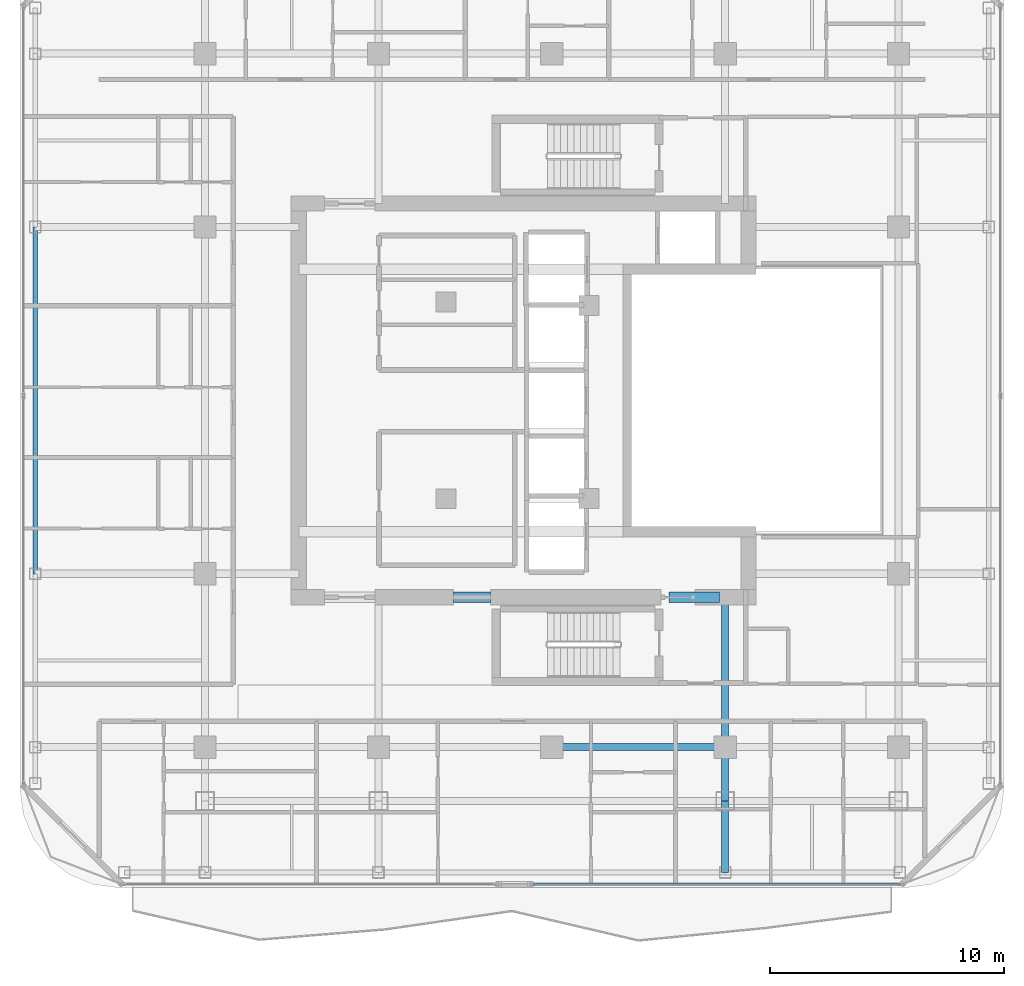
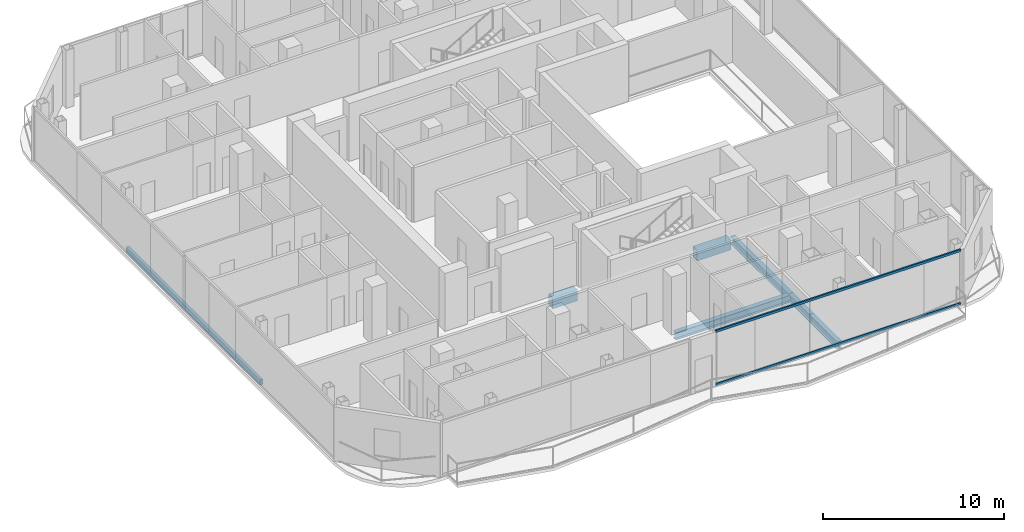
# One storey, part 5 of 23: 7 beams, 2 members, 1 element without a shape of its own.
"""IFC4 building model written with IfcOpenShell, lengths in metres."""

from ifc_helpers import new_model, si_unit, direction, frame, origin, origin_2d, place, context, subcontext, project, spatial, rectangle, hollow_rectangle, i_section, extrude, material, layer, layer_set, material_profile, profile_set, type_object, element, aggregate, save


model = new_model("IFC4")

# Units and contexts
model_context = context("Model", 3, precision=1e-05, world=origin(), true_north=direction((0.0, 1.0)))
body_context = subcontext(model_context, "Body", "Model", "MODEL_VIEW")
ifc_project = project(units=[si_unit("LENGTHUNIT", "METRE"), si_unit("AREAUNIT", "SQUARE_METRE"), si_unit("VOLUMEUNIT", "CUBIC_METRE"), si_unit("PLANEANGLEUNIT", "RADIAN"), si_unit("MASSUNIT", "GRAM", prefix="KILO")], contexts=[model_context])

# Site, building, storey
site_placement = place(None, origin())
site = spatial("IfcSite", under=ifc_project, at=site_placement, CompositionType="ELEMENT")
building_placement = place(site_placement, origin())
building = spatial("IfcBuilding", under=site, at=building_placement, Name="Khorvyn Point Tower", CompositionType="ELEMENT")
storey_placement = place(building_placement, frame((0.0, 0.0, 293.699951171875)))
storey = spatial("IfcBuildingStorey", under=building, at=storey_placement, Name="L72", CompositionType="ELEMENT", Elevation=293.699951171875)

# Curtain wall, members
ifc_material_1 = material(Name="Anodised aluminium 6063-T6 and laminated Low-E glass", Category="aluminium")
ifc_layer = layer(ifc_material_1, 0.18994140625)
ifc_layer_set = layer_set([ifc_layer], Name="Stick-Built High-Wind Curtain Wall CW-SYS-04")
curtain_wall_type = type_object("IfcCurtainWallType", Name="Stick-Built High-Wind Curtain Wall CW-SYS-04", PredefinedType="NOTDEFINED", material=ifc_layer_set)
curtain_wall_placement = place(storey_placement, origin())
curtain_wall = element("IfcCurtainWall", 1, at=curtain_wall_placement, inside=storey, type_object=curtain_wall_type, Name="Curtain Wall", PredefinedType="NOTDEFINED")
ifc_material_2 = material(Name="Anodised aluminium 6063-T6", Category="aluminium")
ifc_material_profile_1 = material_profile(ifc_material_2, hollow_rectangle(XDim=0.10009765625, YDim=0.159912109375, WallThickness=0.00439453125, at=origin_2d()))
ifc_profile_set_1 = profile_set([ifc_material_profile_1], Name="Anodised aluminium 6063-T6 ALU-TRN-100x160")
member_type = type_object("IfcMemberType", Name="Anodised Aluminium 6063-T6 Transom ALU-TRN-100x160", PredefinedType="USERDEFINED", material=ifc_profile_set_1)
member_1_placement = place(storey_placement, frame((14.85009765625, -20.64990234375, 0.050048828125), z_axis=(-1.0, 0.0, 0.0), x_axis=(0.0, -1.0, 0.0)))
member_1 = element("IfcMember", 2, at=member_1_placement, type_object=member_type, Name="Transom", ObjectType="TRANSOM", PredefinedType="USERDEFINED", context=body_context, shape_type="SweptSolid", body=[
    extrude(hollow_rectangle(XDim=0.10009765625, YDim=0.159912109375, WallThickness=0.00439453125, at=origin_2d()), origin(), (0.0, 0.0, 1.0), 15.627197265625),
])
member_2_placement = place(storey_placement, frame((14.85009765625, -20.64990234375, 3.630126953125), z_axis=(-1.0, 0.0, 0.0), x_axis=(0.0, -1.0, 0.0)))
member_2 = element("IfcMember", 3, at=member_2_placement, type_object=member_type, Name="Transom", ObjectType="TRANSOM", PredefinedType="USERDEFINED", context=body_context, shape_type="SweptSolid", body=[
    extrude(hollow_rectangle(XDim=0.10009765625, YDim=0.159912109375, WallThickness=0.00439453125, at=origin_2d()), origin(), (0.0, 0.0, 1.0), 15.627197265625),
])
aggregate(curtain_wall, [member_1, member_2])

# Beams
ifc_material_3 = material(Name="Concrete C40/50", Category="concrete")
ifc_material_profile_2 = material_profile(ifc_material_3, rectangle(XDim=0.449951171875, YDim=0.75, at=origin_2d()))
ifc_profile_set_2 = profile_set([ifc_material_profile_2], Name="Concrete C40/50 RC450x750")
beam_type_1 = type_object("IfcBeamType", Name="Concrete C40/50 Beam RC450x750", PredefinedType="BEAM", material=ifc_profile_set_2)
beam_1_placement = place(storey_placement, frame((-4.199951171875, -8.39990234375, -0.594970703125), z_axis=(1.0, 0.0, 0.0), x_axis=(0.0, 1.0, 0.0)))
element("IfcBeam", 4, at=beam_1_placement, inside=storey, type_object=beam_type_1, Name="L72 Core Shuttle Portal Coupling Beam", PredefinedType="BEAM", context=body_context, shape_type="SweptSolid", body=[
    extrude(rectangle(XDim=0.449951171875, YDim=0.75, at=origin_2d()), origin(), (0.0, 0.0, 1.0), 1.579833984375),
])
beam_2_placement = place(storey_placement, frame((5.0, -8.39990234375, -0.594970703125), z_axis=(1.0, 0.0, 0.0), x_axis=(0.0, 1.0, 0.0)))
element("IfcBeam", 5, at=beam_2_placement, inside=storey, type_object=beam_type_1, Name="L72 Core Southeast Portal Coupling Beam", PredefinedType="BEAM", context=body_context, shape_type="SweptSolid", body=[
    extrude(rectangle(XDim=0.449951171875, YDim=0.75, at=origin_2d()), origin(), (0.0, 0.0, 1.0), 2.14990234375),
])
ifc_material_4 = material(Name="Steel S355", Category="steel")
ifc_material_profile_3 = material_profile(ifc_material_4, i_section(OverallWidth=0.300048828125, OverallDepth=0.488037109375, WebThickness=0.010986328125, FlangeThickness=0.01806640625, at=origin_2d()))
ifc_profile_set_3 = profile_set([ifc_material_profile_3], Name="Steel S355 H488x300x11x18")
beam_type_2 = type_object("IfcBeamType", Name="Steel S355 Spandrel H488x300x11x18", PredefinedType="SPANDREL", material=ifc_profile_set_3)
beam_3_placement = place(storey_placement, frame((0.0, -14.800048828125, -0.4638671875), z_axis=(1.0, 0.0, 0.0), x_axis=(0.0, 1.0, 0.0)))
element("IfcBeam", 6, at=beam_3_placement, inside=storey, type_object=beam_type_2, Name="Beam", PredefinedType="SPANDREL", context=body_context, shape_type="SweptSolid", body=[
    extrude(i_section(OverallWidth=0.300048828125, OverallDepth=0.488037109375, WebThickness=0.010986328125, FlangeThickness=0.01806640625, at=origin_2d()), origin(), (0.0, 0.0, 1.0), 7.39990234375),
])
beam_4_placement = place(storey_placement, frame((7.39990234375, -20.14990234375, -0.4638671875), z_axis=(0.0, 1.0, 0.0), x_axis=(-1.0, 0.0, 0.0)))
element("IfcBeam", 7, at=beam_4_placement, inside=storey, type_object=beam_type_2, Name="Beam", PredefinedType="SPANDREL", context=body_context, shape_type="SweptSolid", body=[
    extrude(i_section(OverallWidth=0.300048828125, OverallDepth=0.488037109375, WebThickness=0.010986328125, FlangeThickness=0.01806640625, at=origin_2d()), origin(), (0.0, 0.0, 1.0), 3.0498046875),
])
beam_5_placement = place(storey_placement, frame((7.39990234375, -17.10009765625, -0.4638671875), z_axis=(0.0, 1.0, 0.0), x_axis=(-1.0, 0.0, 0.0)))
element("IfcBeam", 8, at=beam_5_placement, inside=storey, type_object=beam_type_2, Name="Beam", PredefinedType="SPANDREL", context=body_context, shape_type="SweptSolid", body=[
    extrude(i_section(OverallWidth=0.300048828125, OverallDepth=0.488037109375, WebThickness=0.010986328125, FlangeThickness=0.01806640625, at=origin_2d()), origin(), (0.0, 0.0, 1.0), 2.300048828125),
])
beam_6_placement = place(storey_placement, frame((7.39990234375, -14.800048828125, -0.4638671875), z_axis=(0.0, 1.0, 0.0), x_axis=(-1.0, 0.0, 0.0)))
element("IfcBeam", 9, at=beam_6_placement, inside=storey, type_object=beam_type_2, Name="Beam", PredefinedType="SPANDREL", context=body_context, shape_type="SweptSolid", body=[
    extrude(i_section(OverallWidth=0.300048828125, OverallDepth=0.488037109375, WebThickness=0.010986328125, FlangeThickness=0.01806640625, at=origin_2d()), origin(), (0.0, 0.0, 1.0), 6.400146484375),
])
ifc_material_profile_4 = material_profile(ifc_material_4, hollow_rectangle(XDim=0.199951171875, YDim=0.35009765625, WallThickness=0.013916015625, at=origin_2d()))
ifc_profile_set_4 = profile_set([ifc_material_profile_4], Name="Steel S355 RHS350x200x14")
beam_type_3 = type_object("IfcBeamType", Name="Steel S355 Spandrel RHS350x200x14", PredefinedType="SPANDREL", material=ifc_profile_set_4)
beam_7_placement = place(storey_placement, frame((-22.050048828125, -7.39990234375, -0.39501953125), z_axis=(0.0, 1.0, 0.0), x_axis=(-1.0, 0.0, 0.0)))
element("IfcBeam", 10, at=beam_7_placement, inside=storey, type_object=beam_type_3, Name="Beam", PredefinedType="SPANDREL", context=body_context, shape_type="SweptSolid", body=[
    extrude(hollow_rectangle(XDim=0.199951171875, YDim=0.35009765625, WallThickness=0.013916015625, at=origin_2d()), origin(), (0.0, 0.0, 1.0), 14.7998046875),
])

save(model, "model.ifc")
